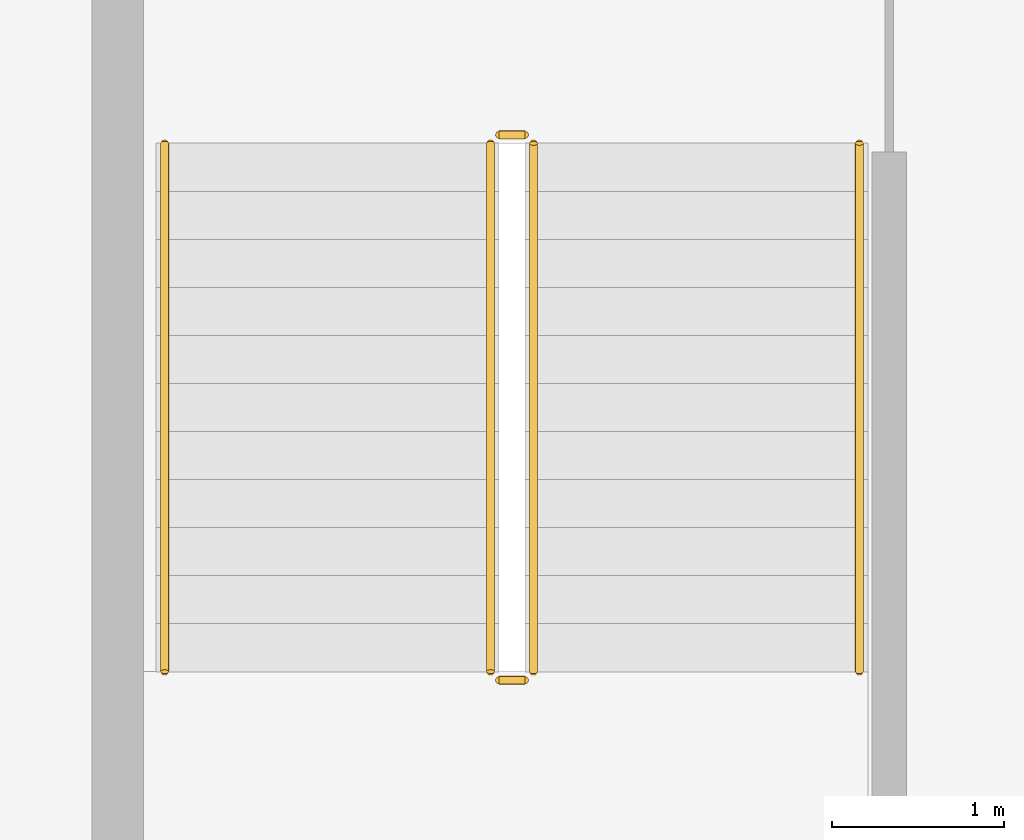
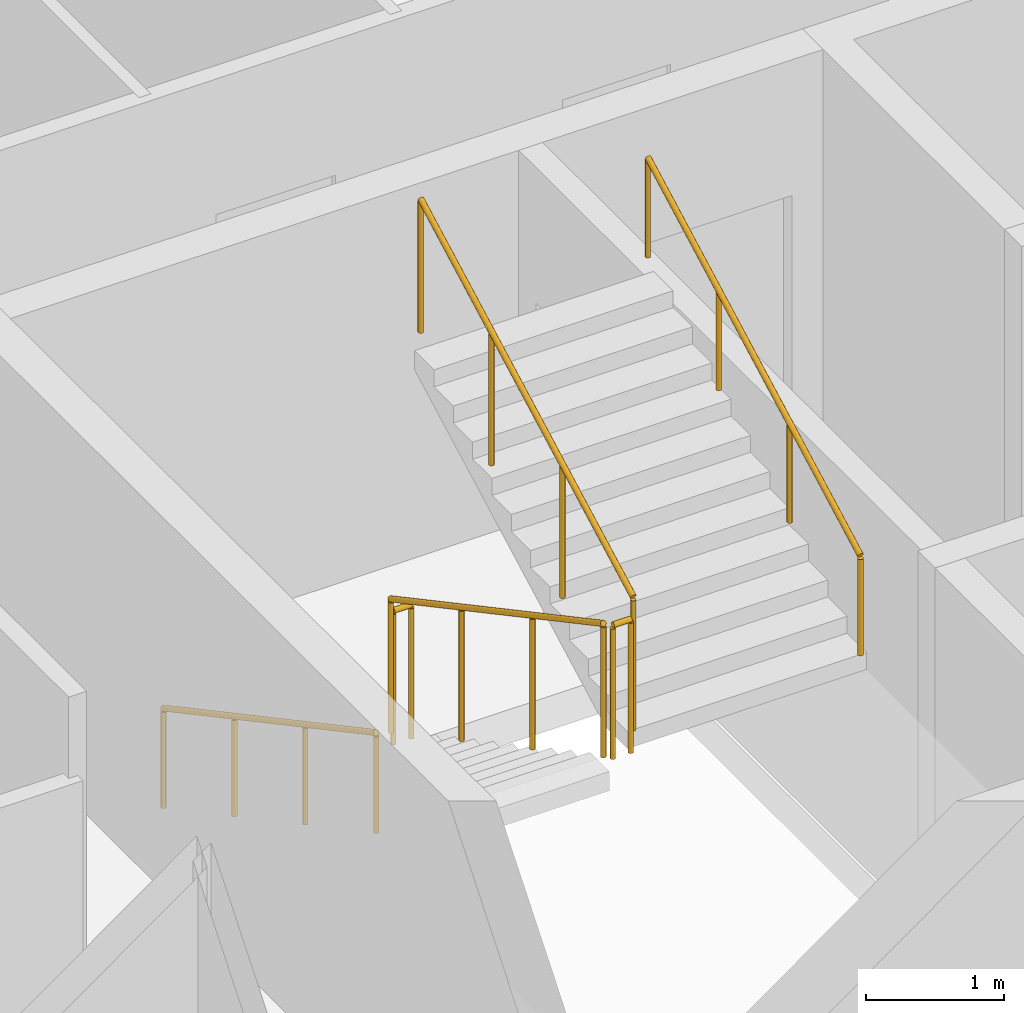
# One storey, part 13 of 15: 6 railings.
"""IFC4 building model written with IfcOpenShell, lengths in metres."""

from ifc_helpers import new_model, si_unit, direction, frame, origin, origin_2d, place, context, subcontext, project, spatial, circle, extrude, material, type_object, element, save


model = new_model("IFC4")

# Units and contexts
model_context = context("Model", 3, precision=1e-05, world=origin(), true_north=direction((0.0, 1.0)))
body_context = subcontext(model_context, "Body", "Model", "MODEL_VIEW")
ifc_project = project(units=[si_unit("LENGTHUNIT", "METRE"), si_unit("AREAUNIT", "SQUARE_METRE"), si_unit("VOLUMEUNIT", "CUBIC_METRE"), si_unit("PLANEANGLEUNIT", "RADIAN"), si_unit("MASSUNIT", "GRAM", prefix="KILO")], contexts=[model_context])

# Site, building, storey
site_placement = place(None, origin())
site = spatial("IfcSite", under=ifc_project, at=site_placement, CompositionType="ELEMENT")
building_placement = place(site_placement, origin())
building = spatial("IfcBuilding", under=site, at=building_placement, Name="Caravel Reach Hotel and Residences", CompositionType="ELEMENT")
storey_placement = place(building_placement, frame((0.0, 0.0, 108.0)))
storey = spatial("IfcBuildingStorey", under=building, at=storey_placement, Name="L26", CompositionType="ELEMENT", Elevation=108.0)

# Railings
ifc_material_1 = material(Name="Steel balustrade with glass infill", Category="steel")
railing_type_1 = type_object("IfcRailingType", Name="Guard 1200", PredefinedType="GUARDRAIL", material=ifc_material_1)
railing_1_placement = place(storey_placement, frame((20.175048828125, 29.35009765625, 0.14990234375)))
element("IfcRailing", 1, at=railing_1_placement, inside=storey, type_object=railing_type_1, Name="L26 ST-A stair guard 1", PredefinedType="GUARDRAIL", context=body_context, shape_type="SweptSolid", body=[
    extrude(circle(Radius=0.02392578125, at=origin_2d()), frame((0.0, 0.0, 1.17578125), z_axis=(0.0, -0.881467505477, 0.472244678941), x_axis=(1.0, 0.0, 0.0)), (0.0, 0.0, 1.0), 3.494140625),
    extrude(circle(Radius=0.02099609375, at=origin_2d()), origin(), (0.0, 0.0, 1.0), 1.15185546875),
    extrude(circle(Radius=0.02099609375, at=origin_2d()), frame((0.0, -1.026611328125, 0.550048828125)), (0.0, 0.0, 1.0), 1.15185546875),
    extrude(circle(Radius=0.02099609375, at=origin_2d()), frame((0.0, -2.053466796875, 1.10009765625)), (0.0, 0.0, 1.0), 1.15185546875),
    extrude(circle(Radius=0.02099609375, at=origin_2d()), frame((0.0, -3.080078125, 1.650146484375)), (0.0, 0.0, 1.0), 1.15185546875),
])
railing_2_placement = place(storey_placement, frame((20.22509765625, 26.219970703125, 1.800048828125)))
element("IfcRailing", 2, at=railing_2_placement, inside=storey, type_object=railing_type_1, Name="L26 ST-A stair guard 2", PredefinedType="GUARDRAIL", context=body_context, shape_type="SweptSolid", body=[
    extrude(circle(Radius=0.02392578125, at=origin_2d()), frame((0.0, 0.0, 1.17578125), z_axis=(1.0, 0.0, 0.0), x_axis=(0.0, 1.0, 0.0)), (0.0, 0.0, 1.0), 0.14990234375),
    extrude(circle(Radius=0.02099609375, at=origin_2d()), origin(), (0.0, 0.0, 1.0), 1.15185546875),
    extrude(circle(Radius=0.02099609375, at=origin_2d()), frame((0.14990234375, 0.0, 0.0)), (0.0, 0.0, 1.0), 1.15185546875),
])
railing_3_placement = place(storey_placement, frame((20.425048828125, 26.27001953125, 1.949951171875)))
element("IfcRailing", 3, at=railing_3_placement, inside=storey, type_object=railing_type_1, Name="L26 ST-A stair guard 3", PredefinedType="GUARDRAIL", context=body_context, shape_type="SweptSolid", body=[
    extrude(circle(Radius=0.02392578125, at=origin_2d()), frame((0.0, 0.0, 1.17578125), z_axis=(0.0, 0.881467505477, 0.472244678941), x_axis=(-1.0, 0.0, 0.0)), (0.0, 0.0, 1.0), 3.494140625),
    extrude(circle(Radius=0.02099609375, at=origin_2d()), origin(), (0.0, 0.0, 1.0), 1.15185546875),
    extrude(circle(Radius=0.02099609375, at=origin_2d()), frame((0.0, 1.026611328125, 0.550048828125)), (0.0, 0.0, 1.0), 1.15185546875),
    extrude(circle(Radius=0.02099609375, at=origin_2d()), frame((0.0, 2.053466796875, 1.10009765625)), (0.0, 0.0, 1.0), 1.15185546875),
    extrude(circle(Radius=0.02099609375, at=origin_2d()), frame((0.0, 3.080078125, 1.650146484375)), (0.0, 0.0, 1.0), 1.15185546875),
])
railing_4_placement = place(storey_placement, frame((20.22509765625, 29.39990234375, 0.0)))
element("IfcRailing", 4, at=railing_4_placement, inside=storey, type_object=railing_type_1, Name="L26 ST-A stair guard 4", PredefinedType="GUARDRAIL", context=body_context, shape_type="SweptSolid", body=[
    extrude(circle(Radius=0.02392578125, at=origin_2d()), frame((0.0, 0.0, 1.17578125), z_axis=(1.0, 0.0, 0.0), x_axis=(0.0, 1.0, 0.0)), (0.0, 0.0, 1.0), 0.14990234375),
    extrude(circle(Radius=0.02099609375, at=origin_2d()), origin(), (0.0, 0.0, 1.0), 1.15185546875),
    extrude(circle(Radius=0.02099609375, at=origin_2d()), frame((0.14990234375, 0.0, 0.0)), (0.0, 0.0, 1.0), 1.15185546875),
])
ifc_material_2 = material(Name="Stainless steel handrail", Category="steel")
railing_type_2 = type_object("IfcRailingType", Name="Handrail 900", PredefinedType="HANDRAIL", material=ifc_material_2)
railing_5_placement = place(storey_placement, frame((18.27490234375, 29.35009765625, 0.14990234375)))
element("IfcRailing", 5, at=railing_5_placement, inside=storey, type_object=railing_type_2, Name="L26 ST-A stair handrail 1", PredefinedType="HANDRAIL", context=body_context, shape_type="SweptSolid", body=[
    extrude(circle(Radius=0.02392578125, at=origin_2d()), frame((0.0, 0.0, 0.8759765625), z_axis=(0.0, -0.881467505477, 0.472244678941), x_axis=(1.0, 0.0, 0.0)), (0.0, 0.0, 1.0), 3.494140625),
    extrude(circle(Radius=0.02099609375, at=origin_2d()), origin(), (0.0, 0.0, 1.0), 0.851806640625),
    extrude(circle(Radius=0.02099609375, at=origin_2d()), frame((0.0, -1.026611328125, 0.550048828125)), (0.0, 0.0, 1.0), 0.851806640625),
    extrude(circle(Radius=0.02099609375, at=origin_2d()), frame((0.0, -2.053466796875, 1.10009765625)), (0.0, 0.0, 1.0), 0.851806640625),
    extrude(circle(Radius=0.02099609375, at=origin_2d()), frame((0.0, -3.080078125, 1.650146484375)), (0.0, 0.0, 1.0), 0.851806640625),
])
railing_6_placement = place(storey_placement, frame((22.324951171875, 26.27001953125, 1.949951171875)))
element("IfcRailing", 6, at=railing_6_placement, inside=storey, type_object=railing_type_2, Name="L26 ST-A stair handrail 2", PredefinedType="HANDRAIL", context=body_context, shape_type="SweptSolid", body=[
    extrude(circle(Radius=0.02392578125, at=origin_2d()), frame((0.0, 0.0, 0.8759765625), z_axis=(0.0, 0.881467505477, 0.472244678941), x_axis=(-1.0, 0.0, 0.0)), (0.0, 0.0, 1.0), 3.494140625),
    extrude(circle(Radius=0.02099609375, at=origin_2d()), origin(), (0.0, 0.0, 1.0), 0.851806640625),
    extrude(circle(Radius=0.02099609375, at=origin_2d()), frame((0.0, 1.026611328125, 0.550048828125)), (0.0, 0.0, 1.0), 0.851806640625),
    extrude(circle(Radius=0.02099609375, at=origin_2d()), frame((0.0, 2.053466796875, 1.10009765625)), (0.0, 0.0, 1.0), 0.851806640625),
    extrude(circle(Radius=0.02099609375, at=origin_2d()), frame((0.0, 3.080078125, 1.650146484375)), (0.0, 0.0, 1.0), 0.851806640625),
])

save(model, "model.ifc")
